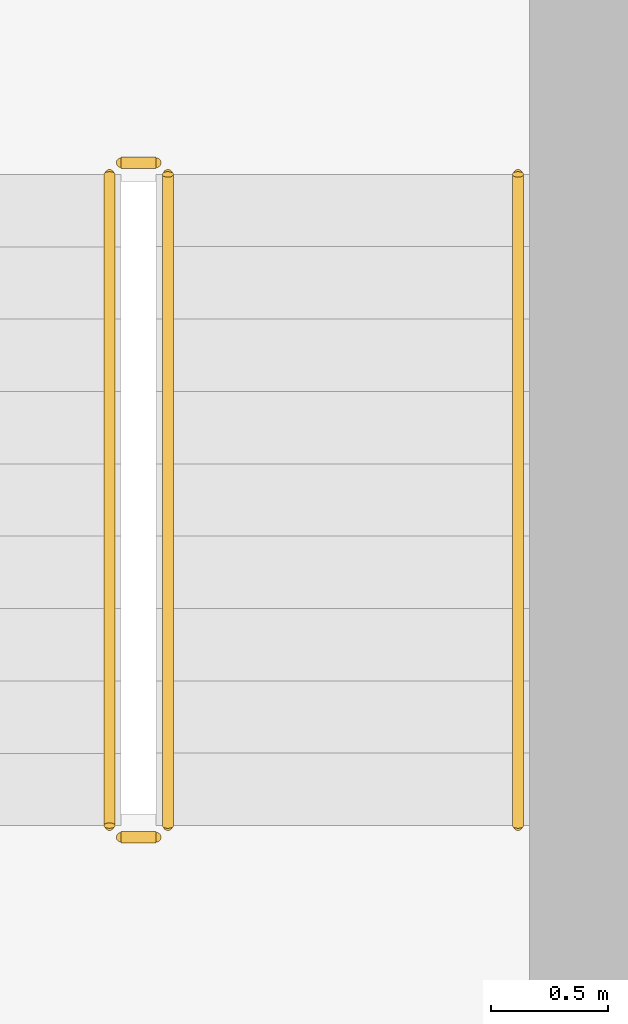
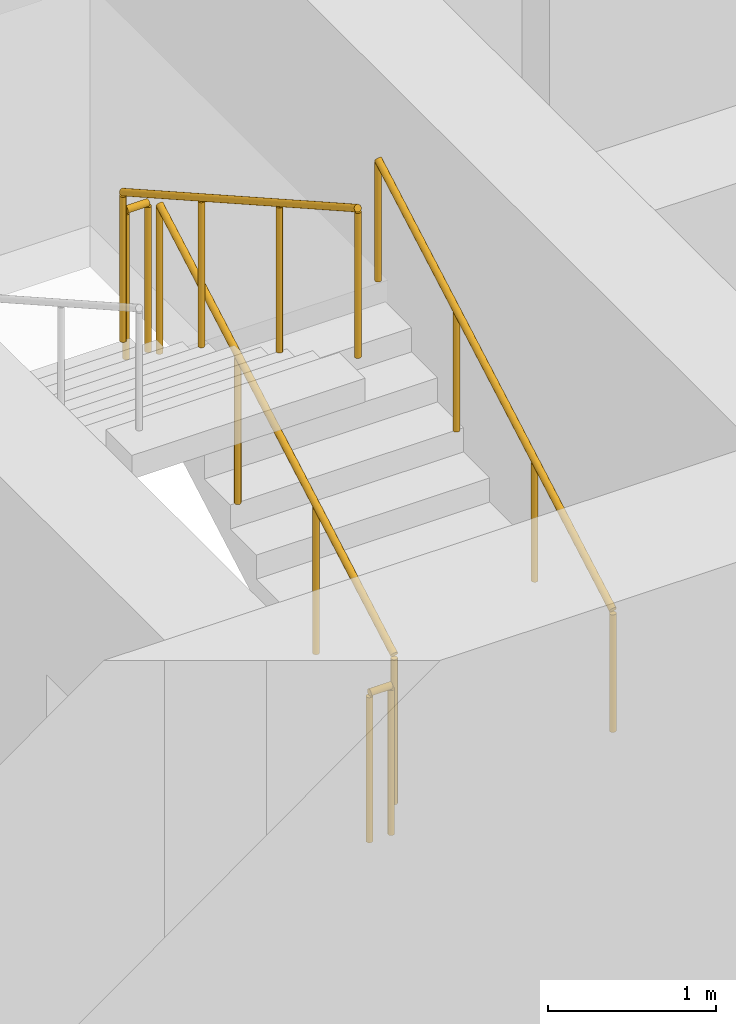
# One storey, part 17 of 21: 5 railings.
"""IFC4 building model written with IfcOpenShell, lengths in metres."""

from ifc_helpers import new_model, si_unit, direction, frame, origin, origin_2d, place, context, subcontext, project, spatial, circle, extrude, material, type_object, element, save


model = new_model("IFC4")

# Units and contexts
model_context = context("Model", 3, precision=1e-05, world=origin(), true_north=direction((0.0, 1.0)))
body_context = subcontext(model_context, "Body", "Model", "MODEL_VIEW")
ifc_project = project(units=[si_unit("LENGTHUNIT", "METRE"), si_unit("AREAUNIT", "SQUARE_METRE"), si_unit("VOLUMEUNIT", "CUBIC_METRE"), si_unit("PLANEANGLEUNIT", "RADIAN"), si_unit("MASSUNIT", "GRAM", prefix="KILO")], contexts=[model_context])

# Site, building, storey
site_placement = place(None, origin())
site = spatial("IfcSite", under=ifc_project, at=site_placement, CompositionType="ELEMENT")
building_placement = place(site_placement, origin())
building = spatial("IfcBuilding", under=site, at=building_placement, Name="Madar Terraces", CompositionType="ELEMENT")
storey_placement = place(building_placement, frame((0.0, 0.0, 43.39990234375)))
storey = spatial("IfcBuildingStorey", under=building, at=storey_placement, Name="L10", CompositionType="ELEMENT", Elevation=43.39990234375)

# Railings
ifc_material_1 = material(Name="Stainless steel railing", Category="steel")
railing_type_1 = type_object("IfcRailingType", Name="Stair guard 1100", PredefinedType="GUARDRAIL", material=ifc_material_1)
railing_1_placement = place(storey_placement, frame((21.199951171875, 17.60009765625, 0.175048828125)))
element("IfcRailing", 1, at=railing_1_placement, inside=storey, type_object=railing_type_1, Name="L10 ST1 stair guard 1", PredefinedType="GUARDRAIL", context=body_context, shape_type="SweptSolid", body=[
    extrude(circle(Radius=0.02392578125, at=origin_2d()), frame((0.0, 0.0, 1.076171875), z_axis=(0.0, 0.870815363784, 0.491610213684), x_axis=(-1.0, 0.0, 0.0)), (0.0, 0.0, 1.0), 3.20361328125),
    extrude(circle(Radius=0.02099609375, at=origin_2d()), origin(), (0.0, 0.0, 1.0), 1.052001953125),
    extrude(circle(Radius=0.02099609375, at=origin_2d()), frame((0.0, 0.929931640625, 0.52490234375)), (0.0, 0.0, 1.0), 1.052001953125),
    extrude(circle(Radius=0.02099609375, at=origin_2d()), frame((0.0, 1.85986328125, 1.050048828125)), (0.0, 0.0, 1.0), 1.052001953125),
    extrude(circle(Radius=0.02099609375, at=origin_2d()), frame((0.0, 2.789794921875, 1.574951171875)), (0.0, 0.0, 1.0), 1.052001953125),
])
railing_2_placement = place(storey_placement, frame((21.14990234375, 20.43994140625, 1.75)))
element("IfcRailing", 2, at=railing_2_placement, inside=storey, type_object=railing_type_1, Name="L10 ST1 stair guard 2", PredefinedType="GUARDRAIL", context=body_context, shape_type="SweptSolid", body=[
    extrude(circle(Radius=0.02392578125, at=origin_2d()), frame((0.0, 0.0, 1.076171875), z_axis=(-1.0, 0.0, 0.0), x_axis=(0.0, -1.0, 0.0)), (0.0, 0.0, 1.0), 0.14990234375),
    extrude(circle(Radius=0.02099609375, at=origin_2d()), origin(), (0.0, 0.0, 1.0), 1.052001953125),
    extrude(circle(Radius=0.02099609375, at=origin_2d()), frame((-0.14990234375, 0.0, 0.0)), (0.0, 0.0, 1.0), 1.052001953125),
])
railing_3_placement = place(storey_placement, frame((20.949951171875, 20.389892578125, 1.925048828125)))
element("IfcRailing", 3, at=railing_3_placement, inside=storey, type_object=railing_type_1, Name="L10 ST1 stair guard 3", PredefinedType="GUARDRAIL", context=body_context, shape_type="SweptSolid", body=[
    extrude(circle(Radius=0.02392578125, at=origin_2d()), frame((0.0, 0.0, 1.076171875), z_axis=(0.0, -0.870815363784, 0.491610213684), x_axis=(1.0, 0.0, 0.0)), (0.0, 0.0, 1.0), 3.20361328125),
    extrude(circle(Radius=0.02099609375, at=origin_2d()), origin(), (0.0, 0.0, 1.0), 1.052001953125),
    extrude(circle(Radius=0.02099609375, at=origin_2d()), frame((0.0, -0.929931640625, 0.52490234375)), (0.0, 0.0, 1.0), 1.052001953125),
    extrude(circle(Radius=0.02099609375, at=origin_2d()), frame((0.0, -1.85986328125, 1.050048828125)), (0.0, 0.0, 1.0), 1.052001953125),
    extrude(circle(Radius=0.02099609375, at=origin_2d()), frame((0.0, -2.789794921875, 1.574951171875)), (0.0, 0.0, 1.0), 1.052001953125),
])
railing_4_placement = place(storey_placement, frame((21.14990234375, 17.550048828125, 0.0)))
element("IfcRailing", 4, at=railing_4_placement, inside=storey, type_object=railing_type_1, Name="L10 ST1 stair guard 4", PredefinedType="GUARDRAIL", context=body_context, shape_type="SweptSolid", body=[
    extrude(circle(Radius=0.02392578125, at=origin_2d()), frame((0.0, 0.0, 1.076171875), z_axis=(-1.0, 0.0, 0.0), x_axis=(0.0, -1.0, 0.0)), (0.0, 0.0, 1.0), 0.14990234375),
    extrude(circle(Radius=0.02099609375, at=origin_2d()), origin(), (0.0, 0.0, 1.0), 1.052001953125),
    extrude(circle(Radius=0.02099609375, at=origin_2d()), frame((-0.14990234375, 0.0, 0.0)), (0.0, 0.0, 1.0), 1.052001953125),
])
ifc_material_2 = material(Name="Stainless steel railing", Category="steel")
railing_type_2 = type_object("IfcRailingType", Name="Stair handrail 900", PredefinedType="HANDRAIL", material=ifc_material_2)
railing_5_placement = place(storey_placement, frame((22.699951171875, 17.60009765625, 0.175048828125)))
element("IfcRailing", 5, at=railing_5_placement, inside=storey, type_object=railing_type_2, Name="L10 ST1 stair handrail 1", PredefinedType="HANDRAIL", context=body_context, shape_type="SweptSolid", body=[
    extrude(circle(Radius=0.02392578125, at=origin_2d()), frame((0.0, 0.0, 0.8759765625), z_axis=(0.0, 0.870815363784, 0.491610213684), x_axis=(-1.0, 0.0, 0.0)), (0.0, 0.0, 1.0), 3.20361328125),
    extrude(circle(Radius=0.02099609375, at=origin_2d()), origin(), (0.0, 0.0, 1.0), 0.851806640625),
    extrude(circle(Radius=0.02099609375, at=origin_2d()), frame((0.0, 0.929931640625, 0.52490234375)), (0.0, 0.0, 1.0), 0.851806640625),
    extrude(circle(Radius=0.02099609375, at=origin_2d()), frame((0.0, 1.85986328125, 1.050048828125)), (0.0, 0.0, 1.0), 0.851806640625),
    extrude(circle(Radius=0.02099609375, at=origin_2d()), frame((0.0, 2.789794921875, 1.574951171875)), (0.0, 0.0, 1.0), 0.851806640625),
])

save(model, "model.ifc")
